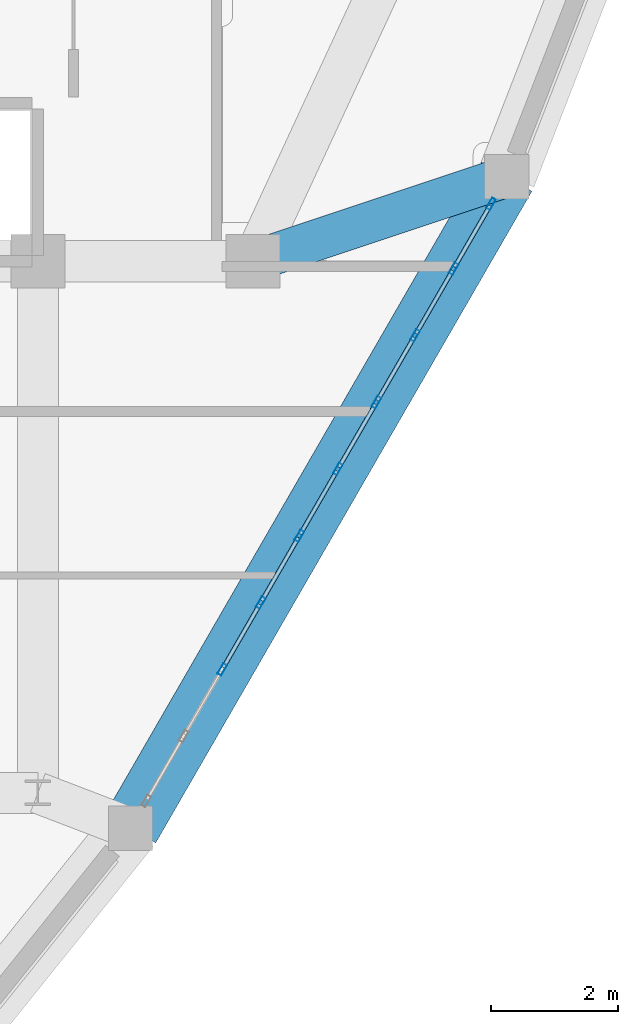
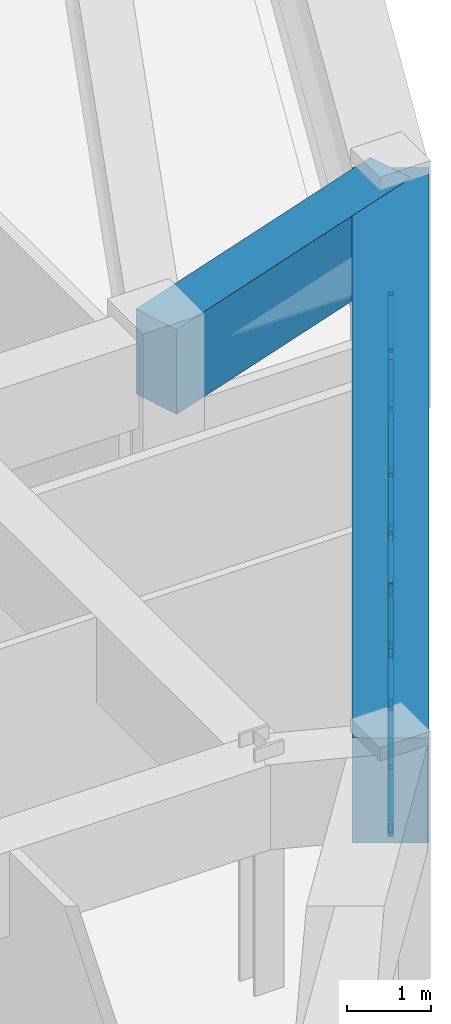
# One storey, part 7 of 14: 24 members, 2 beams, 1 element without a shape of its own.
"""IFC4 building model written with IfcOpenShell, lengths in metres."""

from ifc_helpers import new_model, si_unit, derived_unit, direction, frame, origin, origin_2d, place, context, subcontext, project, spatial, rectangle, hollow_rectangle, extrude, source, transform, mapped, material, layer, layer_set, material_profile, profile_set, type_object, element, aggregate, save


model = new_model("IFC4")

# Units and contexts
model_context = context("Model", 3, precision=1e-05, world=origin(), true_north=direction((0.0, 1.0)))
body_context = subcontext(model_context, "Body", "Model", "MODEL_VIEW")
ifc_project = project(units=[si_unit("LENGTHUNIT", "METRE"), si_unit("AREAUNIT", "SQUARE_METRE"), si_unit("VOLUMEUNIT", "CUBIC_METRE"), si_unit("PLANEANGLEUNIT", "RADIAN"), si_unit("MASSUNIT", "GRAM", prefix="KILO"), derived_unit("THERMALTRANSMITTANCEUNIT", [(si_unit("POWERUNIT", "WATT"), 1), (si_unit("LENGTHUNIT", "METRE"), -2), (si_unit("THERMODYNAMICTEMPERATUREUNIT", "KELVIN"), -1)])], contexts=[model_context])

# Site, building, storey
site_placement = place(None, origin())
site = spatial("IfcSite", under=ifc_project, at=site_placement, CompositionType="ELEMENT")
building_placement = place(site_placement, origin())
building = spatial("IfcBuilding", under=site, at=building_placement, Name="Korsvarv Bourse and Concert Hall", CompositionType="ELEMENT")
storey_placement = place(building_placement, frame((0.0, 0.0, 253.800048828125)))
storey = spatial("IfcBuildingStorey", under=building, at=storey_placement, Name="L66", CompositionType="ELEMENT", Elevation=253.800048828125)

# Beams
ifc_material_1 = material(Name="Concrete C50/60", Category="concrete")
ifc_material_profile_1 = material_profile(ifc_material_1, rectangle(XDim=0.919921875, YDim=1.530029296875, at=origin_2d()), Name="RC-BM 920x1530")
ifc_profile_set_1 = profile_set([ifc_material_profile_1], Name="Concrete C50/60")
beam_type_1 = type_object("IfcBeamType", Name="BM-TR-154", PredefinedType="BEAM", material=ifc_profile_set_1)
shared_shape_1 = source(origin(), body_context, "Body", "SweptSolid", [
    extrude(rectangle(XDim=0.919921875, YDim=1.530029296875, at=origin_2d()), origin(), (0.0, 0.0, 1.0), 11.8916015625),
])
beam_1_placement = place(storey_placement, frame((45.864013671875, 23.439453125, 2.64501953125), z_axis=(0.500003248124, 0.866023528471, 0.0), x_axis=(-0.866023528471, 0.500003248124, 0.0)))
element("IfcBeam", 1, at=beam_1_placement, inside=storey, type_object=beam_type_1, Name="L66 beam B-TR6", PredefinedType="BEAM", context=body_context, shape_type="MappedRepresentation", body=[
    mapped(shared_shape_1, transform((0.0, 0.0, 0.0), scale=1.0)),
])
ifc_material_profile_2 = material_profile(ifc_material_1, rectangle(XDim=0.64990234375, YDim=1.239990234375, at=origin_2d()), Name="RC-BM 650x1240")
ifc_profile_set_2 = profile_set([ifc_material_profile_2], Name="Concrete C50/60")
beam_type_2 = type_object("IfcBeamType", Name="BM-TR-SPN", PredefinedType="BEAM", material=ifc_profile_set_2)
shared_shape_2 = source(origin(), body_context, "Body", "SweptSolid", [
    extrude(rectangle(XDim=0.64990234375, YDim=1.239990234375, at=origin_2d()), origin(), (0.0, 0.0, 1.0), 4.22705078125),
])
beam_2_placement = place(storey_placement, frame((51.809814453125, 33.73779296875, 2.7900390625), z_axis=(-0.948590847329, -0.316504983157, 0.0), x_axis=(0.316504983157, -0.948590847329, 0.0)))
element("IfcBeam", 2, at=beam_2_placement, inside=storey, type_object=beam_type_2, Name="L66 beam B-TRS", PredefinedType="BEAM", context=body_context, shape_type="MappedRepresentation", body=[
    mapped(shared_shape_2, transform((0.0, 0.0, 0.0), scale=1.0)),
])

# Curtain wall, members
ifc_material_2 = material(Name="Anodised aluminium and triple low-E glazing", Category="glass")
ifc_layer = layer(ifc_material_2, 0.199951171875)
ifc_layer_set = layer_set([ifc_layer], Name="Anodised aluminium and triple low-E glazing")
curtain_wall_type = type_object("IfcCurtainWallType", Name="CW-SYS-3", PredefinedType="NOTDEFINED", material=ifc_layer_set)
curtain_wall_placement = place(storey_placement, origin())
curtain_wall = element("IfcCurtainWall", 3, at=curtain_wall_placement, inside=storey, type_object=curtain_wall_type, Name="L66 CW3 curtain wall CW-L66-F11", PredefinedType="NOTDEFINED")
ifc_material_3 = material(Name="Extruded aluminium EN AW-6063 T66", Category="aluminium")
ifc_material_profile_3 = material_profile(ifc_material_3, hollow_rectangle(XDim=0.06494140625, YDim=0.139892578125, WallThickness=0.00390625, at=origin_2d()), Name="ALU-T 65x140")
ifc_profile_set_3 = profile_set([ifc_material_profile_3], Name="Extruded aluminium EN AW-6063 T66")
member_type_1 = type_object("IfcMemberType", Name="CWT-140", PredefinedType="USERDEFINED", material=ifc_profile_set_3)
shared_shape_3 = source(origin(), body_context, "Body", "SweptSolid", [
    extrude(hollow_rectangle(XDim=0.06494140625, YDim=0.139892578125, WallThickness=0.00390625, at=origin_2d()), origin(), (0.0, 0.0, 1.0), 1.113525390625),
])
member_1_placement = place(storey_placement, frame((50.987060546875, 32.312744140625, 0.032470703125), z_axis=(0.499912255713, 0.866076057046, 0.0), x_axis=(-0.866076057046, 0.499912255713, 0.0)))
member_1 = element("IfcMember", 4, at=member_1_placement, type_object=member_type_1, Name="CW3 transom 9.1", ObjectType="TRANSOM", PredefinedType="USERDEFINED", context=body_context, shape_type="MappedRepresentation", body=[
    mapped(shared_shape_3, transform((0.0, 0.0, 0.0), scale=1.0)),
])
member_2_placement = place(storey_placement, frame((50.987060546875, 32.312744140625, 1.847412109375), z_axis=(0.499912255713, 0.866076057046, 0.0), x_axis=(-0.866076057046, 0.499912255713, 0.0)))
member_2 = element("IfcMember", 5, at=member_2_placement, type_object=member_type_1, Name="CW3 transom 9.2", ObjectType="TRANSOM", PredefinedType="USERDEFINED", context=body_context, shape_type="MappedRepresentation", body=[
    mapped(shared_shape_3, transform((0.0, 0.0, 0.0), scale=1.0)),
])
shared_shape_4 = source(origin(), body_context, "Body", "SweptSolid", [
    extrude(hollow_rectangle(XDim=0.06494140625, YDim=0.139892578125, WallThickness=0.00390625, at=origin_2d()), origin(), (0.0, 0.0, 1.0), 1.1484375),
])
member_3_placement = place(storey_placement, frame((48.5498046875, 28.09130859375, 0.032470703125), z_axis=(0.499980071345, 0.866036909293, 0.0), x_axis=(-0.866036909293, 0.499980071345, 0.0)))
member_3 = element("IfcMember", 6, at=member_3_placement, type_object=member_type_1, Name="CW3 transom 5.1", ObjectType="TRANSOM", PredefinedType="USERDEFINED", context=body_context, shape_type="MappedRepresentation", body=[
    mapped(shared_shape_4, transform((0.0, 0.0, 0.0), scale=1.0)),
])
member_4_placement = place(storey_placement, frame((48.5498046875, 28.09130859375, 1.847412109375), z_axis=(0.499980071345, 0.866036909293, 0.0), x_axis=(-0.866036909293, 0.499980071345, 0.0)))
member_4 = element("IfcMember", 7, at=member_4_placement, type_object=member_type_1, Name="CW3 transom 5.2", ObjectType="TRANSOM", PredefinedType="USERDEFINED", context=body_context, shape_type="MappedRepresentation", body=[
    mapped(shared_shape_4, transform((0.0, 0.0, 0.0), scale=1.0)),
])
shared_shape_5 = source(origin(), body_context, "Body", "SweptSolid", [
    extrude(hollow_rectangle(XDim=0.06494140625, YDim=0.139892578125, WallThickness=0.00390625, at=origin_2d()), origin(), (0.0, 0.0, 1.0), 1.148681640625),
])
member_5_placement = place(storey_placement, frame((47.3310546875, 25.98046875, 0.032470703125), z_axis=(0.49988803956, 0.866090034526, 0.0), x_axis=(-0.866090034526, 0.49988803956, 0.0)))
member_5 = element("IfcMember", 8, at=member_5_placement, type_object=member_type_1, Name="CW3 transom 3.1", ObjectType="TRANSOM", PredefinedType="USERDEFINED", context=body_context, shape_type="MappedRepresentation", body=[
    mapped(shared_shape_5, transform((0.0, 0.0, 0.0), scale=1.0)),
])
member_6_placement = place(storey_placement, frame((47.3310546875, 25.98046875, 1.847412109375), z_axis=(0.49988803956, 0.866090034526, 0.0), x_axis=(-0.866090034526, 0.49988803956, 0.0)))
member_6 = element("IfcMember", 9, at=member_6_placement, type_object=member_type_1, Name="CW3 transom 3.2", ObjectType="TRANSOM", PredefinedType="USERDEFINED", context=body_context, shape_type="MappedRepresentation", body=[
    mapped(shared_shape_5, transform((0.0, 0.0, 0.0), scale=1.0)),
])
member_7_placement = place(storey_placement, frame((47.9404296875, 27.035888671875, 0.032470703125), z_axis=(0.49988803956, 0.866090034526, 0.0), x_axis=(-0.866090034526, 0.49988803956, 0.0)))
member_7 = element("IfcMember", 10, at=member_7_placement, type_object=member_type_1, Name="CW3 transom 4.1", ObjectType="TRANSOM", PredefinedType="USERDEFINED", context=body_context, shape_type="MappedRepresentation", body=[
    mapped(shared_shape_5, transform((0.0, 0.0, 0.0), scale=1.0)),
])
member_8_placement = place(storey_placement, frame((47.9404296875, 27.035888671875, 1.847412109375), z_axis=(0.49988803956, 0.866090034526, 0.0), x_axis=(-0.866090034526, 0.49988803956, 0.0)))
member_8 = element("IfcMember", 11, at=member_8_placement, type_object=member_type_1, Name="CW3 transom 4.2", ObjectType="TRANSOM", PredefinedType="USERDEFINED", context=body_context, shape_type="MappedRepresentation", body=[
    mapped(shared_shape_5, transform((0.0, 0.0, 0.0), scale=1.0)),
])
member_9_placement = place(storey_placement, frame((49.158935546875, 29.146728515625, 0.032470703125), z_axis=(0.500139482584, 0.865944858499, 0.0), x_axis=(-0.865944858499, 0.500139482584, 0.0)))
member_9 = element("IfcMember", 12, at=member_9_placement, type_object=member_type_1, Name="CW3 transom 6.1", ObjectType="TRANSOM", PredefinedType="USERDEFINED", context=body_context, shape_type="MappedRepresentation", body=[
    mapped(shared_shape_5, transform((0.0, 0.0, 0.0), scale=1.0)),
])
member_10_placement = place(storey_placement, frame((49.158935546875, 29.146728515625, 1.847412109375), z_axis=(0.500139482584, 0.865944858499, 0.0), x_axis=(-0.865944858499, 0.500139482584, 0.0)))
member_10 = element("IfcMember", 13, at=member_10_placement, type_object=member_type_1, Name="CW3 transom 6.2", ObjectType="TRANSOM", PredefinedType="USERDEFINED", context=body_context, shape_type="MappedRepresentation", body=[
    mapped(shared_shape_5, transform((0.0, 0.0, 0.0), scale=1.0)),
])
member_11_placement = place(storey_placement, frame((50.377685546875, 31.25732421875, 0.032470703125), z_axis=(0.49988803956, 0.866090034526, 0.0), x_axis=(-0.866090034526, 0.49988803956, 0.0)))
member_11 = element("IfcMember", 14, at=member_11_placement, type_object=member_type_1, Name="CW3 transom 8.1", ObjectType="TRANSOM", PredefinedType="USERDEFINED", context=body_context, shape_type="MappedRepresentation", body=[
    mapped(shared_shape_5, transform((0.0, 0.0, 0.0), scale=1.0)),
])
member_12_placement = place(storey_placement, frame((50.377685546875, 31.25732421875, 1.847412109375), z_axis=(0.49988803956, 0.866090034526, 0.0), x_axis=(-0.866090034526, 0.49988803956, 0.0)))
member_12 = element("IfcMember", 15, at=member_12_placement, type_object=member_type_1, Name="CW3 transom 8.2", ObjectType="TRANSOM", PredefinedType="USERDEFINED", context=body_context, shape_type="MappedRepresentation", body=[
    mapped(shared_shape_5, transform((0.0, 0.0, 0.0), scale=1.0)),
])
ifc_material_profile_4 = material_profile(ifc_material_3, hollow_rectangle(XDim=0.070068359375, YDim=0.18994140625, WallThickness=0.0048828125, at=origin_2d()), Name="ALU-M 70x190")
ifc_profile_set_4 = profile_set([ifc_material_profile_4], Name="Extruded aluminium EN AW-6063 T66")
member_type_2 = type_object("IfcMemberType", Name="CWM-190", PredefinedType="MULLION", material=ifc_profile_set_4)
shared_shape_6 = source(origin(), body_context, "Body", "SweptSolid", [
    extrude(hollow_rectangle(XDim=0.070068359375, YDim=0.18994140625, WallThickness=0.0048828125, at=origin_2d()), origin(), (0.0, 0.0, 1.0), 1.8798828125),
])
member_13_placement = place(storey_placement, frame((47.3134765625, 25.9501953125, 0.0), z_axis=(0.0, 0.0, 1.0), x_axis=(-0.866023274265, 0.500003688417, 0.0)))
member_13 = element("IfcMember", 16, at=member_13_placement, type_object=member_type_2, Name="CW3 mullion 3", PredefinedType="MULLION", context=body_context, shape_type="MappedRepresentation", body=[
    mapped(shared_shape_6, transform((0.0, 0.0, 0.0), scale=1.0)),
])
member_14_placement = place(storey_placement, frame((47.9228515625, 27.005615234375, 0.0), z_axis=(0.0, 0.0, 1.0), x_axis=(-0.866023274265, 0.500003688417, 0.0)))
member_14 = element("IfcMember", 17, at=member_14_placement, type_object=member_type_2, Name="CW3 mullion 4", PredefinedType="MULLION", context=body_context, shape_type="MappedRepresentation", body=[
    mapped(shared_shape_6, transform((0.0, 0.0, 0.0), scale=1.0)),
])
member_15_placement = place(storey_placement, frame((48.5322265625, 28.06103515625, 0.0), z_axis=(0.0, 0.0, 1.0), x_axis=(-0.866023274265, 0.500003688417, 0.0)))
member_15 = element("IfcMember", 18, at=member_15_placement, type_object=member_type_2, Name="CW3 mullion 5", PredefinedType="MULLION", context=body_context, shape_type="MappedRepresentation", body=[
    mapped(shared_shape_6, transform((0.0, 0.0, 0.0), scale=1.0)),
])
member_16_placement = place(storey_placement, frame((49.1416015625, 29.116455078125, 0.0), z_axis=(0.0, 0.0, 1.0), x_axis=(-0.866023274265, 0.500003688417, 0.0)))
member_16 = element("IfcMember", 19, at=member_16_placement, type_object=member_type_2, Name="CW3 mullion 6", PredefinedType="MULLION", context=body_context, shape_type="MappedRepresentation", body=[
    mapped(shared_shape_6, transform((0.0, 0.0, 0.0), scale=1.0)),
])
member_17_placement = place(storey_placement, frame((49.750732421875, 30.171630859375, 0.0), z_axis=(0.0, 0.0, 1.0), x_axis=(-0.866023274265, 0.500003688417, 0.0)))
member_17 = element("IfcMember", 20, at=member_17_placement, type_object=member_type_2, Name="CW3 mullion 7", PredefinedType="MULLION", context=body_context, shape_type="MappedRepresentation", body=[
    mapped(shared_shape_6, transform((0.0, 0.0, 0.0), scale=1.0)),
])
member_18_placement = place(storey_placement, frame((50.360107421875, 31.22705078125, 0.0), z_axis=(0.0, 0.0, 1.0), x_axis=(-0.866023274265, 0.500003688417, 0.0)))
member_18 = element("IfcMember", 21, at=member_18_placement, type_object=member_type_2, Name="CW3 mullion 8", PredefinedType="MULLION", context=body_context, shape_type="MappedRepresentation", body=[
    mapped(shared_shape_6, transform((0.0, 0.0, 0.0), scale=1.0)),
])
member_19_placement = place(storey_placement, frame((50.969482421875, 32.282470703125, 0.0), z_axis=(0.0, 0.0, 1.0), x_axis=(-0.866023274265, 0.500003688417, 0.0)))
member_19 = element("IfcMember", 22, at=member_19_placement, type_object=member_type_2, Name="CW3 mullion 9", PredefinedType="MULLION", context=body_context, shape_type="MappedRepresentation", body=[
    mapped(shared_shape_6, transform((0.0, 0.0, 0.0), scale=1.0)),
])
member_20_placement = place(storey_placement, frame((51.561279296875, 33.307373046875, 0.0), z_axis=(0.0, 0.0, 1.0), x_axis=(-0.866023274265, 0.500003688417, 0.0)))
member_20 = element("IfcMember", 23, at=member_20_placement, type_object=member_type_2, Name="CW3 mullion 10", PredefinedType="MULLION", context=body_context, shape_type="MappedRepresentation", body=[
    mapped(shared_shape_6, transform((0.0, 0.0, 0.0), scale=1.0)),
])
ifc_material_profile_5 = material_profile(ifc_material_3, hollow_rectangle(XDim=0.06494140625, YDim=0.1650390625, WallThickness=0.0048828125, at=origin_2d()), Name="ALU-M 65x165")
ifc_profile_set_5 = profile_set([ifc_material_profile_5], Name="Extruded aluminium EN AW-6063 T66")
member_type_3 = type_object("IfcMemberType", Name="CWM-165", PredefinedType="MULLION", material=ifc_profile_set_5)
shared_shape_7 = source(origin(), body_context, "Body", "SweptSolid", [
    extrude(hollow_rectangle(XDim=0.06494140625, YDim=0.1650390625, WallThickness=0.0048828125, at=origin_2d()), origin(), (0.0, 0.0, 1.0), 2.09326171875),
])
member_21_placement = place(storey_placement, frame((49.1240234375, 29.0859375, 0.06494140625), z_axis=(-0.274324929215, -0.475169966676, 0.836037879513), x_axis=(0.866036909293, -0.499980071345, 0.0)))
member_21 = element("IfcMember", 24, at=member_21_placement, type_object=member_type_3, Name="CW3 diagonal mullion 5", PredefinedType="MULLION", context=body_context, shape_type="MappedRepresentation", body=[
    mapped(shared_shape_7, transform((0.0, 0.0, 0.0), scale=1.0)),
])
member_22_placement = place(storey_placement, frame((50.377685546875, 31.25732421875, 0.06494140625), z_axis=(0.274309725161, 0.475260259367, 0.835991543348), x_axis=(-0.866090034526, 0.49988803956, 0.0)))
member_22 = element("IfcMember", 25, at=member_22_placement, type_object=member_type_3, Name="CW3 diagonal mullion 8", PredefinedType="MULLION", context=body_context, shape_type="MappedRepresentation", body=[
    mapped(shared_shape_7, transform((0.0, 0.0, 0.0), scale=1.0)),
])
shared_shape_8 = source(origin(), body_context, "Body", "SweptSolid", [
    extrude(hollow_rectangle(XDim=0.06494140625, YDim=0.139892578125, WallThickness=0.00390625, at=origin_2d()), origin(), (0.0, 0.0, 1.0), 1.14892578125),
])
member_23_placement = place(storey_placement, frame((49.768310546875, 30.201904296875, 0.032470703125), z_axis=(0.50004744102, 0.865998011966, 0.0), x_axis=(-0.865998011966, 0.50004744102, 0.0)))
member_23 = element("IfcMember", 26, at=member_23_placement, type_object=member_type_1, Name="CW3 transom 7.1", ObjectType="TRANSOM", PredefinedType="USERDEFINED", context=body_context, shape_type="MappedRepresentation", body=[
    mapped(shared_shape_8, transform((0.0, 0.0, 0.0), scale=1.0)),
])
member_24_placement = place(storey_placement, frame((49.768310546875, 30.201904296875, 1.847412109375), z_axis=(0.50004744102, 0.865998011966, 0.0), x_axis=(-0.865998011966, 0.50004744102, 0.0)))
member_24 = element("IfcMember", 27, at=member_24_placement, type_object=member_type_1, Name="CW3 transom 7.2", ObjectType="TRANSOM", PredefinedType="USERDEFINED", context=body_context, shape_type="MappedRepresentation", body=[
    mapped(shared_shape_8, transform((0.0, 0.0, 0.0), scale=1.0)),
])
aggregate(curtain_wall, [member_13, member_14, member_15, member_16, member_17, member_18, member_19, member_20, member_5, member_6, member_7, member_8, member_3, member_4, member_21, member_9, member_10, member_23, member_24, member_11, member_12, member_22, member_1, member_2])

save(model, "model.ifc")
